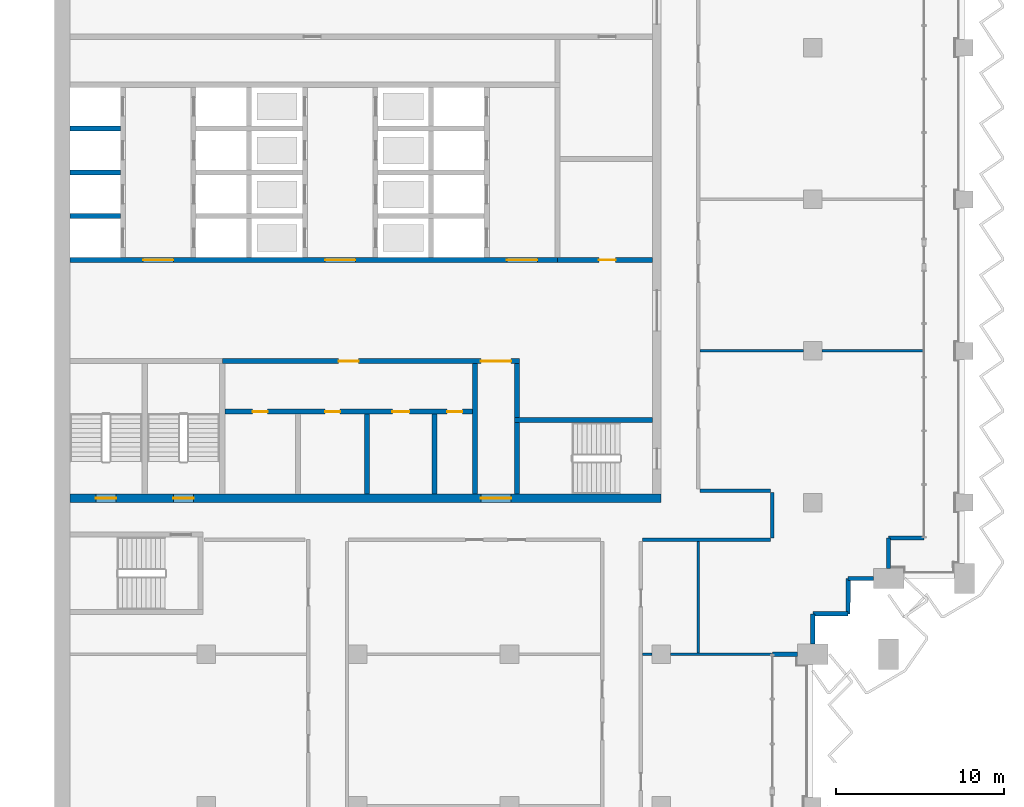
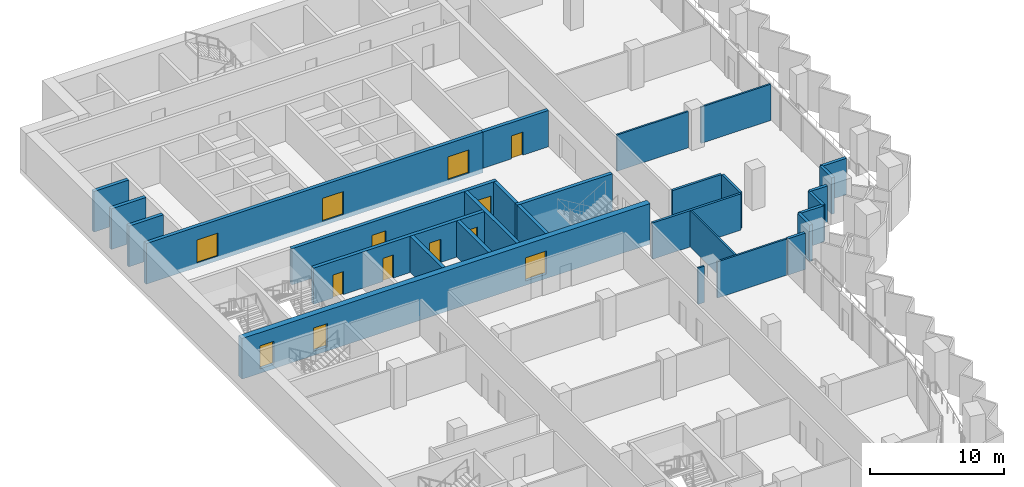
# One storey, part 8 of 18: 29 walls, 13 doors, 13 openings.
"""IFC4 building model written with IfcOpenShell, lengths in metres."""

from ifc_helpers import new_model, si_unit, direction, frame, frame_2d, origin, place, context, subcontext, project, spatial, rectangle, extrude, material, layer, layer_set, type_object, element, fill, save


model = new_model("IFC4")

# Units and contexts
model_context = context("Model", 3, precision=1e-05, world=origin(), true_north=direction((0.0, 1.0)))
body_context = subcontext(model_context, "Body", "Model", "MODEL_VIEW")
ifc_project = project(units=[si_unit("LENGTHUNIT", "METRE"), si_unit("AREAUNIT", "SQUARE_METRE"), si_unit("VOLUMEUNIT", "CUBIC_METRE"), si_unit("PLANEANGLEUNIT", "RADIAN"), si_unit("MASSUNIT", "GRAM", prefix="KILO")], contexts=[model_context])

# Site, building, storey
site_placement = place(None, origin())
site = spatial("IfcSite", under=ifc_project, at=site_placement, CompositionType="ELEMENT")
building_placement = place(site_placement, origin())
building = spatial("IfcBuilding", under=site, at=building_placement, Name="Hunhe Ridgeline Campus", CompositionType="ELEMENT")
storey_placement = place(building_placement, frame((0.0, 0.0, 182.800048828125)))
storey = spatial("IfcBuildingStorey", under=building, at=storey_placement, Name="L46", CompositionType="ELEMENT", Elevation=182.800048828125)

# Wall, openings, doors
ifc_material_1 = material(Name="Masonry concrete blockwork", Category="masonry")
ifc_layer_1 = layer(ifc_material_1, 0.300048828125)
ifc_layer_set_1 = layer_set([ifc_layer_1], Name="Core room partition 300 concrete block")
wall_type_1 = type_object("IfcWallType", Name="Core room partition 300 concrete block", PredefinedType="PARTITIONING", material=ifc_layer_set_1)
wall_1_placement = place(storey_placement, frame((10.10009765625, 68.39990234375, 0.0), z_axis=(0.0, 0.0, 1.0), x_axis=(1.0, 0.0, 0.0)))
wall_1 = element("IfcWall", 1, at=wall_1_placement, inside=storey, type_object=wall_type_1, Name="L46 core partition 9", PredefinedType="PARTITIONING", context=body_context, shape_type="SweptSolid", body=[
    extrude(rectangle(XDim=14.699951171875, YDim=0.300048828125, at=frame_2d((7.35009765625, 0.0))), origin(), (0.0, 0.0, 1.0), 3.300048828125),
])
opening_1_placement = place(wall_1_placement, frame((1.64990234375, 0.0, 0.0)))
opening_1 = element("IfcOpeningElement", 2, at=opening_1_placement, cuts=wall_1, Name="Opening CD8", PredefinedType="OPENING", context=body_context, shape_type="SweptSolid", body=[
    extrude(rectangle(XDim=0.89990234375, YDim=2.10009765625, at=frame_2d((0.449951171875, 1.050048828125))), frame((0.0, 0.14990234375, 0.0), z_axis=(0.0, -1.0, 0.0), x_axis=(1.0, 0.0, 0.0)), (0.0, 0.0, 1.0), 0.300048828125),
])
opening_2_placement = place(wall_1_placement, frame((5.949951171875, 0.0, 0.0)))
opening_2 = element("IfcOpeningElement", 3, at=opening_2_placement, cuts=wall_1, Name="Opening CD9", PredefinedType="OPENING", context=body_context, shape_type="SweptSolid", body=[
    extrude(rectangle(XDim=0.89990234375, YDim=2.10009765625, at=frame_2d((0.449951171875, 1.050048828125))), frame((0.0, 0.14990234375, 0.0), z_axis=(0.0, -1.0, 0.0), x_axis=(1.0, 0.0, 0.0)), (0.0, 0.0, 1.0), 0.300048828125),
])
opening_3_placement = place(wall_1_placement, frame((9.949951171875, 0.0, 0.0)))
opening_3 = element("IfcOpeningElement", 4, at=opening_3_placement, cuts=wall_1, Name="Opening CD10", PredefinedType="OPENING", context=body_context, shape_type="SweptSolid", body=[
    extrude(rectangle(XDim=1.0, YDim=2.10009765625, at=frame_2d((0.5, 1.050048828125))), frame((0.0, 0.14990234375, 0.0), z_axis=(0.0, -1.0, 0.0), x_axis=(1.0, 0.0, 0.0)), (0.0, 0.0, 1.0), 0.300048828125),
])
opening_4_placement = place(wall_1_placement, frame((13.199951171875, 0.0, 0.0)))
opening_4 = element("IfcOpeningElement", 5, at=opening_4_placement, cuts=wall_1, Name="Opening CD11", PredefinedType="OPENING", context=body_context, shape_type="SweptSolid", body=[
    extrude(rectangle(XDim=0.89990234375, YDim=2.10009765625, at=frame_2d((0.449951171875, 1.050048828125))), frame((0.0, 0.14990234375, 0.0), z_axis=(0.0, -1.0, 0.0), x_axis=(1.0, 0.0, 0.0)), (0.0, 0.0, 1.0), 0.300048828125),
])
ifc_material_2 = material(Name="Solid core timber door leaf", Category="wood")
door_type_1 = type_object("IfcDoorType", Name="Timber door 1000x2100", OperationType="SINGLE_SWING_LEFT", PredefinedType="DOOR", material=ifc_material_2)
door_1_placement = place(opening_3_placement, frame((1.0, 0.0, 0.0), z_axis=(0.0, 0.0, 1.0), x_axis=(-1.0, 0.0, 0.0)))
door_1 = element("IfcDoor", 6, at=door_1_placement, inside=storey, type_object=door_type_1, Name="L46 door WC3", OperationType="SINGLE_SWING_LEFT", OverallHeight=2.10009765625, OverallWidth=1.0, PredefinedType="DOOR", context=body_context, shape_type="SweptSolid", body=[
    extrude(rectangle(XDim=1.0, YDim=2.10009765625, at=frame_2d((0.5, 1.050048828125))), frame((0.0, 0.02490234375, 0.0), z_axis=(0.0, -1.0, 0.0), x_axis=(1.0, 0.0, 0.0)), (0.0, 0.0, 1.0), 0.050048828125),
])
fill(opening_3, door_1)
door_type_2 = type_object("IfcDoorType", Name="Timber door 900x2100", OperationType="SINGLE_SWING_LEFT", PredefinedType="DOOR", material=ifc_material_2)
door_2_placement = place(opening_1_placement, frame((0.89990234375, 0.0, 0.0), z_axis=(0.0, 0.0, 1.0), x_axis=(-1.0, 0.0, 0.0)))
door_2 = element("IfcDoor", 7, at=door_2_placement, inside=storey, type_object=door_type_2, Name="L46 door WC1", OperationType="SINGLE_SWING_LEFT", OverallHeight=2.10009765625, OverallWidth=0.89990234375, PredefinedType="DOOR", context=body_context, shape_type="SweptSolid", body=[
    extrude(rectangle(XDim=0.89990234375, YDim=2.10009765625, at=frame_2d((0.449951171875, 1.050048828125))), frame((0.0, 0.02490234375, 0.0), z_axis=(0.0, -1.0, 0.0), x_axis=(1.0, 0.0, 0.0)), (0.0, 0.0, 1.0), 0.050048828125),
])
fill(opening_1, door_2)
door_3_placement = place(opening_2_placement, frame((0.89990234375, 0.0, 0.0), z_axis=(0.0, 0.0, 1.0), x_axis=(-1.0, 0.0, 0.0)))
door_3 = element("IfcDoor", 8, at=door_3_placement, inside=storey, type_object=door_type_2, Name="L46 door WC2", OperationType="SINGLE_SWING_RIGHT", OverallHeight=2.10009765625, OverallWidth=0.89990234375, PredefinedType="DOOR", context=body_context, shape_type="SweptSolid", body=[
    extrude(rectangle(XDim=0.89990234375, YDim=2.10009765625, at=frame_2d((0.449951171875, 1.050048828125))), frame((0.0, 0.02490234375, 0.0), z_axis=(0.0, -1.0, 0.0), x_axis=(1.0, 0.0, 0.0)), (0.0, 0.0, 1.0), 0.050048828125),
])
fill(opening_2, door_3)
door_4_placement = place(opening_4_placement, frame((0.89990234375, 0.0, 0.0), z_axis=(0.0, 0.0, 1.0), x_axis=(-1.0, 0.0, 0.0)))
door_4 = element("IfcDoor", 9, at=door_4_placement, inside=storey, type_object=door_type_2, Name="L46 door WC4", OperationType="SINGLE_SWING_RIGHT", OverallHeight=2.10009765625, OverallWidth=0.89990234375, PredefinedType="DOOR", context=body_context, shape_type="SweptSolid", body=[
    extrude(rectangle(XDim=0.89990234375, YDim=2.10009765625, at=frame_2d((0.449951171875, 1.050048828125))), frame((0.0, 0.02490234375, 0.0), z_axis=(0.0, -1.0, 0.0), x_axis=(1.0, 0.0, 0.0)), (0.0, 0.0, 1.0), 0.050048828125),
])
fill(opening_4, door_4)

wall_2_placement = place(storey_placement, frame((9.949951171875, 71.39990234375, 0.0), z_axis=(0.0, 0.0, 1.0), x_axis=(1.0, 0.0, 0.0)))
wall_2 = element("IfcWall", 10, at=wall_2_placement, inside=storey, type_object=wall_type_1, Name="L46 core partition 11", PredefinedType="PARTITIONING", context=body_context, shape_type="SweptSolid", body=[
    extrude(rectangle(XDim=17.650146484375, YDim=0.300048828125, at=frame_2d((8.8251953125, 0.0))), origin(), (0.0, 0.0, 1.0), 3.300048828125),
])
opening_5_placement = place(wall_2_placement, frame((15.35009765625, 0.0, 0.0)))
opening_5 = element("IfcOpeningElement", 11, at=opening_5_placement, cuts=wall_2, Name="Opening CD7", PredefinedType="OPENING", context=body_context, shape_type="SweptSolid", body=[
    extrude(rectangle(XDim=1.800048828125, YDim=2.10009765625, at=frame_2d((0.89990234375, 1.050048828125))), frame((0.0, 0.14990234375, 0.0), z_axis=(0.0, -1.0, 0.0), x_axis=(1.0, 0.0, 0.0)), (0.0, 0.0, 1.0), 0.300048828125),
])
opening_6_placement = place(wall_2_placement, frame((6.89990234375, 0.0, 0.0)))
opening_6 = element("IfcOpeningElement", 12, at=opening_6_placement, cuts=wall_2, Name="Opening CD37", PredefinedType="OPENING", context=body_context, shape_type="SweptSolid", body=[
    extrude(rectangle(XDim=1.199951171875, YDim=2.10009765625, at=frame_2d((0.60009765625, 1.050048828125))), frame((0.0, 0.14990234375, 0.0), z_axis=(0.0, -1.0, 0.0), x_axis=(1.0, 0.0, 0.0)), (0.0, 0.0, 1.0), 0.300048828125),
])
ifc_material_3 = material(Name="Anodised aluminium and glass", Category="aluminium")
door_type_3 = type_object("IfcDoorType", Name="Glazed double door 1800x2100", OperationType="DOUBLE_DOOR_SINGLE_SWING", PredefinedType="DOOR", material=ifc_material_3)
door_5_placement = place(opening_5_placement, origin())
door_5 = element("IfcDoor", 13, at=door_5_placement, inside=storey, type_object=door_type_3, Name="L46 door VEST-HALL", OperationType="DOUBLE_DOOR_SINGLE_SWING", OverallHeight=2.10009765625, OverallWidth=1.800048828125, PredefinedType="DOOR", context=body_context, shape_type="SweptSolid", body=[
    extrude(rectangle(XDim=1.800048828125, YDim=2.10009765625, at=frame_2d((0.89990234375, 1.050048828125))), frame((0.0, 0.02490234375, 0.0), z_axis=(0.0, -1.0, 0.0), x_axis=(1.0, 0.0, 0.0)), (0.0, 0.0, 1.0), 0.050048828125),
])
fill(opening_5, door_5)
door_type_4 = type_object("IfcDoorType", Name="Timber door 1200x2100", OperationType="SINGLE_SWING_LEFT", PredefinedType="DOOR", material=ifc_material_2)
door_6_placement = place(opening_6_placement, origin())
door_6 = element("IfcDoor", 14, at=door_6_placement, inside=storey, type_object=door_type_4, Name="L46 door WCL1-HALL", OperationType="SINGLE_SWING_RIGHT", OverallHeight=2.10009765625, OverallWidth=1.199951171875, PredefinedType="DOOR", context=body_context, shape_type="SweptSolid", body=[
    extrude(rectangle(XDim=1.199951171875, YDim=2.10009765625, at=frame_2d((0.60009765625, 1.050048828125))), frame((0.0, 0.02490234375, 0.0), z_axis=(0.0, -1.0, 0.0), x_axis=(1.0, 0.0, 0.0)), (0.0, 0.0, 1.0), 0.050048828125),
])
fill(opening_6, door_6)

# Wall, opening, door
wall_3_placement = place(storey_placement, frame((29.85009765625, 77.39990234375, 0.0), z_axis=(0.0, 0.0, 1.0), x_axis=(1.0, 0.0, 0.0)))
wall_3 = element("IfcWall", 15, at=wall_3_placement, inside=storey, type_object=wall_type_1, Name="L46 core partition 13", PredefinedType="PARTITIONING", context=body_context, shape_type="SweptSolid", body=[
    extrude(rectangle(XDim=5.64990234375, YDim=0.300048828125, at=frame_2d((2.824951171875, 0.0))), origin(), (0.0, 0.0, 1.0), 3.300048828125),
])
opening_7_placement = place(wall_3_placement, frame((2.449951171875, 0.0, 0.0)))
opening_7 = element("IfcOpeningElement", 16, at=opening_7_placement, cuts=wall_3, Name="Opening CD32", PredefinedType="OPENING", context=body_context, shape_type="SweptSolid", body=[
    extrude(rectangle(XDim=1.0, YDim=2.10009765625, at=frame_2d((0.5, 1.050048828125))), frame((0.0, 0.14990234375, 0.0), z_axis=(0.0, -1.0, 0.0), x_axis=(1.0, 0.0, 0.0)), (0.0, 0.0, 1.0), 0.300048828125),
])
door_7_placement = place(opening_7_placement, origin())
door_7 = element("IfcDoor", 17, at=door_7_placement, inside=storey, type_object=door_type_1, Name="L46 door ES0", OperationType="SINGLE_SWING_RIGHT", OverallHeight=2.10009765625, OverallWidth=1.0, PredefinedType="DOOR", context=body_context, shape_type="SweptSolid", body=[
    extrude(rectangle(XDim=1.0, YDim=2.10009765625, at=frame_2d((0.5, 1.050048828125))), frame((0.0, 0.02490234375, 0.0), z_axis=(0.0, -1.0, 0.0), x_axis=(1.0, 0.0, 0.0)), (0.0, 0.0, 1.0), 0.050048828125),
])
fill(opening_7, door_7)

# Walls
for number, where, z_axis, x_axis, name in (
    (18, (18.550048828125, 63.5, 0.0), (0.0, 0.0, 1.0), (0.0, 1.0, 0.0), "L46 core partition 41"),
    (19, (22.550048828125, 63.5, 0.0), (0.0, 0.0, 1.0), (0.0, 1.0, 0.0), "L46 core partition 46"),
):
    element("IfcWall", number, at=place(storey_placement, frame(where, z_axis=z_axis, x_axis=x_axis)), inside=storey, type_object=wall_type_1, Name=name, PredefinedType="PARTITIONING", context=body_context, shape_type="SweptSolid", body=[
        extrude(rectangle(XDim=4.75, YDim=0.300048828125, at=frame_2d((2.375, 0.0))), origin(), (0.0, 0.0, 1.0), 3.300048828125),
    ])
wall_4_placement = place(storey_placement, frame((24.949951171875, 63.5, 0.0), z_axis=(0.0, 0.0, 1.0), x_axis=(0.0, 1.0, 0.0)))
element("IfcWall", 20, at=wall_4_placement, inside=storey, type_object=wall_type_1, Name="L46 core partition 48", PredefinedType="PARTITIONING", context=body_context, shape_type="SweptSolid", body=[
    extrude(rectangle(XDim=7.75, YDim=0.300048828125, at=frame_2d((3.875, 0.0))), origin(), (0.0, 0.0, 1.0), 3.300048828125),
])
wall_5_placement = place(storey_placement, frame((27.449951171875, 68.050048828125, 0.0), z_axis=(0.0, 0.0, 1.0), x_axis=(0.0, 1.0, 0.0)))
element("IfcWall", 21, at=wall_5_placement, inside=storey, type_object=wall_type_1, Name="L46 core partition 52", PredefinedType="PARTITIONING", context=body_context, shape_type="SweptSolid", body=[
    extrude(rectangle(XDim=3.199951171875, YDim=0.300048828125, at=frame_2d((1.60009765625, 0.0))), origin(), (0.0, 0.0, 1.0), 3.300048828125),
])

# Wall, openings, doors
ifc_material_4 = material(Name="Concrete C60", Category="concrete")
ifc_layer_2 = layer(ifc_material_4, 0.5)
ifc_layer_set_2 = layer_set([ifc_layer_2], Name="Core wall 500 reinforced concrete C60")
wall_type_2 = type_object("IfcWallType", Name="Core wall 500 reinforced concrete C60", PredefinedType="SOLIDWALL", material=ifc_layer_set_2)
wall_6_placement = place(storey_placement, frame((0.89990234375, 63.25, -0.400146484375), z_axis=(0.0, 0.0, 1.0), x_axis=(1.0, 0.0, 0.0)))
wall_6 = element("IfcWall", 22, at=wall_6_placement, inside=storey, type_object=wall_type_2, Name="L46 core wall 7", PredefinedType="SOLIDWALL", context=body_context, shape_type="SweptSolid", body=[
    extrude(rectangle(XDim=35.10009765625, YDim=0.5, at=frame_2d((17.550048828125, 0.0))), origin(), (0.0, 0.0, 1.0), 3.7001953125),
])
opening_8_placement = place(wall_6_placement, frame((24.39990234375, 0.0, 0.39990234375)))
opening_8 = element("IfcOpeningElement", 23, at=opening_8_placement, cuts=wall_6, Name="Opening CD6", PredefinedType="OPENING", context=body_context, shape_type="SweptSolid", body=[
    extrude(rectangle(XDim=1.800048828125, YDim=2.10009765625, at=frame_2d((0.89990234375, 1.050048828125))), frame((0.0, 0.25, 0.0), z_axis=(0.0, -1.0, 0.0), x_axis=(1.0, 0.0, 0.0)), (0.0, 0.0, 1.0), 0.5),
])
opening_9_placement = place(wall_6_placement, frame((1.550048828125, 0.0, 0.39990234375)))
opening_9 = element("IfcOpeningElement", 24, at=opening_9_placement, cuts=wall_6, Name="Opening CD13", PredefinedType="OPENING", context=body_context, shape_type="SweptSolid", body=[
    extrude(rectangle(XDim=1.199951171875, YDim=2.10009765625, at=frame_2d((0.60009765625, 1.050048828125))), frame((0.0, 0.25, 0.0), z_axis=(0.0, -1.0, 0.0), x_axis=(1.0, 0.0, 0.0)), (0.0, 0.0, 1.0), 0.5),
])
opening_10_placement = place(wall_6_placement, frame((6.14990234375, 0.0, 0.39990234375)))
opening_10 = element("IfcOpeningElement", 25, at=opening_10_placement, cuts=wall_6, Name="Opening CD14", PredefinedType="OPENING", context=body_context, shape_type="SweptSolid", body=[
    extrude(rectangle(XDim=1.199951171875, YDim=2.10009765625, at=frame_2d((0.60009765625, 1.050048828125))), frame((0.0, 0.25, 0.0), z_axis=(0.0, -1.0, 0.0), x_axis=(1.0, 0.0, 0.0)), (0.0, 0.0, 1.0), 0.5),
])
door_8_placement = place(opening_8_placement, frame((1.800048828125, 0.0, 0.0), z_axis=(0.0, 0.0, 1.0), x_axis=(-1.0, 0.0, 0.0)))
door_8 = element("IfcDoor", 26, at=door_8_placement, inside=storey, type_object=door_type_3, Name="L46 door VEST-FLOOR", OperationType="DOUBLE_DOOR_SINGLE_SWING", OverallHeight=2.10009765625, OverallWidth=1.800048828125, PredefinedType="DOOR", context=body_context, shape_type="SweptSolid", body=[
    extrude(rectangle(XDim=1.800048828125, YDim=2.10009765625, at=frame_2d((0.89990234375, 1.050048828125))), frame((0.0, 0.02490234375, 0.0), z_axis=(0.0, -1.0, 0.0), x_axis=(1.0, 0.0, 0.0)), (0.0, 0.0, 1.0), 0.050048828125),
])
fill(opening_8, door_8)
ifc_material_5 = material(Name="Hollow metal fire door leaf")
door_type_5 = type_object("IfcDoorType", Name="Stair door 1200x2100 FD60", OperationType="SINGLE_SWING_LEFT", PredefinedType="DOOR", material=ifc_material_5)
door_9_placement = place(opening_9_placement, frame((1.199951171875, 0.0, 0.0), z_axis=(0.0, 0.0, 1.0), x_axis=(-1.0, 0.0, 0.0)))
door_9 = element("IfcDoor", 27, at=door_9_placement, inside=storey, type_object=door_type_5, Name="L46 door S3", OperationType="SINGLE_SWING_LEFT", OverallHeight=2.10009765625, OverallWidth=1.199951171875, PredefinedType="DOOR", context=body_context, shape_type="SweptSolid", body=[
    extrude(rectangle(XDim=1.199951171875, YDim=2.10009765625, at=frame_2d((0.60009765625, 1.050048828125))), frame((0.0, 0.02490234375, 0.0), z_axis=(0.0, -1.0, 0.0), x_axis=(1.0, 0.0, 0.0)), (0.0, 0.0, 1.0), 0.050048828125),
])
fill(opening_9, door_9)
door_10_placement = place(opening_10_placement, frame((1.199951171875, 0.0, 0.0), z_axis=(0.0, 0.0, 1.0), x_axis=(-1.0, 0.0, 0.0)))
door_10 = element("IfcDoor", 28, at=door_10_placement, inside=storey, type_object=door_type_5, Name="L46 door S4", OperationType="SINGLE_SWING_RIGHT", OverallHeight=2.10009765625, OverallWidth=1.199951171875, PredefinedType="DOOR", context=body_context, shape_type="SweptSolid", body=[
    extrude(rectangle(XDim=1.199951171875, YDim=2.10009765625, at=frame_2d((0.60009765625, 1.050048828125))), frame((0.0, 0.02490234375, 0.0), z_axis=(0.0, -1.0, 0.0), x_axis=(1.0, 0.0, 0.0)), (0.0, 0.0, 1.0), 0.050048828125),
])
fill(opening_10, door_10)

# Walls
ifc_material_6 = material(Name="Concrete C30", Category="concrete")
ifc_layer_3 = layer(ifc_material_6, 0.25)
ifc_layer_set_3 = layer_set([ifc_layer_3], Name="Corner return wall 250 Concrete C30")
wall_type_3 = type_object("IfcWallType", Name="Corner return wall 250 Concrete C30", PredefinedType="SOLIDWALL", material=ifc_layer_set_3)
wall_7_placement = place(storey_placement, frame((42.59912109375, 54.00048828125, 0.0), z_axis=(0.0, 0.0, 1.0), x_axis=(0.999999986772, 0.00016265452, 0.0)))
element("IfcWall", 29, at=wall_7_placement, inside=storey, type_object=wall_type_3, Name="Corner return wall 2", PredefinedType="SOLIDWALL", context=body_context, shape_type="SweptSolid", body=[
    extrude(rectangle(XDim=1.5009765625, YDim=0.25, at=frame_2d((0.75048828125, 0.0))), origin(), (0.0, 0.0, 1.0), 3.300048828125),
])
wall_8_placement = place(storey_placement, frame((44.9990234375, 54.60009765625, 0.0), z_axis=(0.0, 0.0, 1.0), x_axis=(0.000135593219, 0.999999990807, 0.0)))
element("IfcWall", 30, at=wall_8_placement, inside=storey, type_object=wall_type_3, Name="Corner return wall 3", PredefinedType="SOLIDWALL", context=body_context, shape_type="SweptSolid", body=[
    extrude(rectangle(XDim=1.800537109375, YDim=0.25, at=frame_2d((0.900390625, 0.0))), origin(), (0.0, 0.0, 1.0), 3.300048828125),
])
wall_9_placement = place(storey_placement, frame((44.999267578125, 56.400634765625, 0.0), z_axis=(0.0, 0.0, 1.0), x_axis=(0.999999993241, 0.00011626555, 0.0)))
element("IfcWall", 31, at=wall_9_placement, inside=storey, type_object=wall_type_3, Name="Corner return wall 4", PredefinedType="SOLIDWALL", context=body_context, shape_type="SweptSolid", body=[
    extrude(rectangle(XDim=2.099853515625, YDim=0.25, at=frame_2d((1.0498046875, 0.0))), origin(), (0.0, 0.0, 1.0), 3.300048828125),
])
wall_10_placement = place(storey_placement, frame((47.09912109375, 56.40087890625, 0.0), z_axis=(0.0, 0.0, 1.0), x_axis=(0.000232504063, 0.999999972971, 0.0)))
element("IfcWall", 32, at=wall_10_placement, inside=storey, type_object=wall_type_3, Name="Corner return wall 5", PredefinedType="SOLIDWALL", context=body_context, shape_type="SweptSolid", body=[
    extrude(rectangle(XDim=2.10009765625, YDim=0.25, at=frame_2d((1.050048828125, 0.0))), origin(), (0.0, 0.0, 1.0), 3.300048828125),
])
wall_11_placement = place(storey_placement, frame((47.099609375, 58.5009765625, 0.0), z_axis=(0.0, 0.0, 1.0), x_axis=(1.0, 0.0, 0.0)))
element("IfcWall", 33, at=wall_11_placement, inside=storey, type_object=wall_type_3, Name="Corner return wall 6", PredefinedType="SOLIDWALL", context=body_context, shape_type="SweptSolid", body=[
    extrude(rectangle(XDim=1.50048828125, YDim=0.25, at=frame_2d((0.750244140625, 0.0))), origin(), (0.0, 0.0, 1.0), 3.300048828125),
])
wall_12_placement = place(storey_placement, frame((49.4990234375, 59.10009765625, 0.0), z_axis=(0.0, 0.0, 1.0), x_axis=(0.000271149665, 0.999999963239, 0.0)))
element("IfcWall", 34, at=wall_12_placement, inside=storey, type_object=wall_type_3, Name="Corner return wall 7", PredefinedType="SOLIDWALL", context=body_context, shape_type="SweptSolid", body=[
    extrude(rectangle(XDim=1.80078125, YDim=0.25, at=frame_2d((0.900390625, 0.0))), origin(), (0.0, 0.0, 1.0), 3.300048828125),
])
wall_13_placement = place(storey_placement, frame((49.49951171875, 60.90087890625, 0.0), z_axis=(0.0, 0.0, 1.0), x_axis=(1.0, 0.0, 0.0)))
element("IfcWall", 35, at=wall_13_placement, inside=storey, type_object=wall_type_3, Name="Corner return wall 8", PredefinedType="SOLIDWALL", context=body_context, shape_type="SweptSolid", body=[
    extrude(rectangle(XDim=2.099609375, YDim=0.25, at=frame_2d((1.0498046875, 0.0))), origin(), (0.0, 0.0, 1.0), 3.300048828125),
])
ifc_material_7 = material(Name="Gypsum board partition")
ifc_layer_4 = layer(ifc_material_7, 0.199951171875)
ifc_layer_set_4 = layer_set([ifc_layer_4], Name="Corridor partition 200 gypsum board on steel studs")
wall_type_4 = type_object("IfcWallType", Name="Corridor partition 200 gypsum board on steel studs", PredefinedType="PARTITIONING", material=ifc_layer_set_4)
wall_14_placement = place(storey_placement, frame((42.5, 60.800048828125, 0.0), z_axis=(0.0, 0.0, 1.0), x_axis=(-1.0, 0.0, 0.0)))
element("IfcWall", 36, at=wall_14_placement, inside=storey, type_object=wall_type_4, Name="F-L46-wall-029", PredefinedType="PARTITIONING", context=body_context, shape_type="SweptSolid", body=[
    extrude(rectangle(XDim=7.60009765625, YDim=0.199951171875, at=frame_2d((3.800048828125, 0.0))), origin(), (0.0, 0.0, 1.0), 3.300048828125),
])
wall_15_placement = place(storey_placement, frame((38.300048828125, 63.699951171875, 0.0), z_axis=(0.0, 0.0, 1.0), x_axis=(1.0, 0.0, 0.0)))
element("IfcWall", 37, at=wall_15_placement, inside=storey, type_object=wall_type_4, Name="F-L46-wall-030", PredefinedType="PARTITIONING", context=body_context, shape_type="SweptSolid", body=[
    extrude(rectangle(XDim=4.199951171875, YDim=0.199951171875, at=frame_2d((2.10009765625, 0.0))), origin(), (0.0, 0.0, 1.0), 3.300048828125),
])
wall_16_placement = place(storey_placement, frame((42.60009765625, 63.60009765625, 0.0), z_axis=(0.0, 0.0, 1.0), x_axis=(0.0, -1.0, 0.0)))
element("IfcWall", 38, at=wall_16_placement, inside=storey, type_object=wall_type_4, Name="F-L46-wall-048", PredefinedType="PARTITIONING", context=body_context, shape_type="SweptSolid", body=[
    extrude(rectangle(XDim=2.7001953125, YDim=0.199951171875, at=frame_2d((1.35009765625, 0.0))), origin(), (0.0, 0.0, 1.0), 3.300048828125),
])
ifc_layer_5 = layer(ifc_material_7, 0.14990234375)
ifc_layer_set_5 = layer_set([ifc_layer_5], Name="Room partition 150 gypsum board on steel studs")
wall_type_5 = type_object("IfcWallType", Name="Room partition 150 gypsum board on steel studs", PredefinedType="PARTITIONING", material=ifc_layer_set_5)
wall_17_placement = place(storey_placement, frame((34.89990234375, 54.0, 0.0), z_axis=(0.0, 0.0, 1.0), x_axis=(1.0, 0.0, 0.0)))
element("IfcWall", 39, at=wall_17_placement, inside=storey, type_object=wall_type_5, Name="F-L46-wall-025", PredefinedType="PARTITIONING", context=body_context, shape_type="SweptSolid", body=[
    extrude(rectangle(XDim=0.550048828125, YDim=0.14990234375, at=frame_2d((0.27490234375, 0.0))), origin(), (0.0, 0.0, 1.0), 3.300048828125),
])
wall_18_placement = place(storey_placement, frame((36.550048828125, 54.0, 0.0), z_axis=(0.0, 0.0, 1.0), x_axis=(1.0, 0.0, 0.0)))
element("IfcWall", 40, at=wall_18_placement, inside=storey, type_object=wall_type_5, Name="F-L46-wall-026", PredefinedType="PARTITIONING", context=body_context, shape_type="SweptSolid", body=[
    extrude(rectangle(XDim=5.9951171875, YDim=0.14990234375, at=frame_2d((2.99755859375, 0.0))), origin(), (0.0, 0.0, 1.0), 3.300048828125),
])
wall_19_placement = place(storey_placement, frame((38.300048828125, 72.0, 0.0), z_axis=(0.0, 0.0, 1.0), x_axis=(1.0, 0.0, 0.0)))
element("IfcWall", 41, at=wall_19_placement, inside=storey, type_object=wall_type_5, Name="F-L46-wall-031", PredefinedType="PARTITIONING", context=body_context, shape_type="SweptSolid", body=[
    extrude(rectangle(XDim=6.14990234375, YDim=0.14990234375, at=frame_2d((3.074951171875, 0.0))), origin(), (0.0, 0.0, 1.0), 3.300048828125),
])
wall_20_placement = place(storey_placement, frame((45.550048828125, 72.0, 0.0), z_axis=(0.0, 0.0, 1.0), x_axis=(1.0, 0.0, 0.0)))
element("IfcWall", 42, at=wall_20_placement, inside=storey, type_object=wall_type_5, Name="F-L46-wall-032", PredefinedType="PARTITIONING", context=body_context, shape_type="SweptSolid", body=[
    extrude(rectangle(XDim=5.994873046875, YDim=0.14990234375, at=frame_2d((2.99755859375, 0.0))), origin(), (0.0, 0.0, 1.0), 3.300048828125),
])
wall_21_placement = place(storey_placement, frame((38.199951171875, 60.699951171875, 0.0), z_axis=(0.0, 0.0, 1.0), x_axis=(0.0, -1.0, 0.0)))
element("IfcWall", 43, at=wall_21_placement, inside=storey, type_object=wall_type_5, Name="F-L46-wall-046", PredefinedType="PARTITIONING", context=body_context, shape_type="SweptSolid", body=[
    extrude(rectangle(XDim=6.625, YDim=0.14990234375, at=frame_2d((3.3125, 0.0))), origin(), (0.0, 0.0, 1.0), 3.300048828125),
])

# Wall, openings, doors
ifc_layer_6 = layer(ifc_material_4, 0.300048828125)
ifc_layer_set_6 = layer_set([ifc_layer_6], Name="Shaft wall 300 reinforced concrete C60")
wall_type_6 = type_object("IfcWallType", Name="Shaft wall 300 reinforced concrete C60", PredefinedType="SOLIDWALL", material=ifc_layer_set_6)
wall_22_placement = place(storey_placement, frame((0.89990234375, 77.39990234375, -0.400146484375), z_axis=(0.0, 0.0, 1.0), x_axis=(1.0, 0.0, 0.0)))
wall_22 = element("IfcWall", 44, at=wall_22_placement, inside=storey, type_object=wall_type_6, Name="L46 core wall 12", PredefinedType="SOLIDWALL", context=body_context, shape_type="SweptSolid", body=[
    extrude(rectangle(XDim=28.9501953125, YDim=0.300048828125, at=frame_2d((14.47509765625, 0.0))), origin(), (0.0, 0.0, 1.0), 3.7001953125),
])
opening_11_placement = place(wall_22_placement, frame((4.35009765625, 0.0, 0.39990234375)))
opening_11 = element("IfcOpeningElement", 45, at=opening_11_placement, cuts=wall_22, Name="Opening CD1", PredefinedType="OPENING", context=body_context, shape_type="SweptSolid", body=[
    extrude(rectangle(XDim=1.800048828125, YDim=2.10009765625, at=frame_2d((0.89990234375, 1.050048828125))), frame((0.0, 0.14990234375, 0.0), z_axis=(0.0, -1.0, 0.0), x_axis=(1.0, 0.0, 0.0)), (0.0, 0.0, 1.0), 0.300048828125),
])
opening_12_placement = place(wall_22_placement, frame((15.14990234375, 0.0, 0.39990234375)))
opening_12 = element("IfcOpeningElement", 46, at=opening_12_placement, cuts=wall_22, Name="Opening CD38", PredefinedType="OPENING", context=body_context, shape_type="SweptSolid", body=[
    extrude(rectangle(XDim=1.800048828125, YDim=2.10009765625, at=frame_2d((0.89990234375, 1.050048828125))), frame((0.0, 0.14990234375, 0.0), z_axis=(0.0, -1.0, 0.0), x_axis=(1.0, 0.0, 0.0)), (0.0, 0.0, 1.0), 0.300048828125),
])
opening_13_placement = place(wall_22_placement, frame((25.949951171875, 0.0, 0.39990234375)))
opening_13 = element("IfcOpeningElement", 47, at=opening_13_placement, cuts=wall_22, Name="Opening CD2", PredefinedType="OPENING", context=body_context, shape_type="SweptSolid", body=[
    extrude(rectangle(XDim=1.800048828125, YDim=2.10009765625, at=frame_2d((0.89990234375, 1.050048828125))), frame((0.0, 0.14990234375, 0.0), z_axis=(0.0, -1.0, 0.0), x_axis=(1.0, 0.0, 0.0)), (0.0, 0.0, 1.0), 0.300048828125),
])
door_type_6 = type_object("IfcDoorType", Name="Lobby door 1800x2100 FD60", OperationType="SINGLE_SWING_LEFT", PredefinedType="DOOR", material=ifc_material_5)
door_11_placement = place(opening_11_placement, frame((1.800048828125, 0.0, 0.0), z_axis=(0.0, 0.0, 1.0), x_axis=(-1.0, 0.0, 0.0)))
door_11 = element("IfcDoor", 48, at=door_11_placement, inside=storey, type_object=door_type_6, Name="L46 door LOB-LR", OperationType="SINGLE_SWING_RIGHT", OverallHeight=2.10009765625, OverallWidth=1.800048828125, PredefinedType="DOOR", context=body_context, shape_type="SweptSolid", body=[
    extrude(rectangle(XDim=1.800048828125, YDim=2.10009765625, at=frame_2d((0.89990234375, 1.050048828125))), frame((0.0, 0.02490234375, 0.0), z_axis=(0.0, -1.0, 0.0), x_axis=(1.0, 0.0, 0.0)), (0.0, 0.0, 1.0), 0.050048828125),
])
fill(opening_11, door_11)
door_12_placement = place(opening_12_placement, frame((1.800048828125, 0.0, 0.0), z_axis=(0.0, 0.0, 1.0), x_axis=(-1.0, 0.0, 0.0)))
door_12 = element("IfcDoor", 49, at=door_12_placement, inside=storey, type_object=door_type_6, Name="L46 door LOB-HR", OperationType="SINGLE_SWING_LEFT", OverallHeight=2.10009765625, OverallWidth=1.800048828125, PredefinedType="DOOR", context=body_context, shape_type="SweptSolid", body=[
    extrude(rectangle(XDim=1.800048828125, YDim=2.10009765625, at=frame_2d((0.89990234375, 1.050048828125))), frame((0.0, 0.02490234375, 0.0), z_axis=(0.0, -1.0, 0.0), x_axis=(1.0, 0.0, 0.0)), (0.0, 0.0, 1.0), 0.050048828125),
])
fill(opening_12, door_12)
door_13_placement = place(opening_13_placement, frame((1.800048828125, 0.0, 0.0), z_axis=(0.0, 0.0, 1.0), x_axis=(-1.0, 0.0, 0.0)))
door_13 = element("IfcDoor", 50, at=door_13_placement, inside=storey, type_object=door_type_6, Name="L46 door LOB-SH", OperationType="SINGLE_SWING_RIGHT", OverallHeight=2.10009765625, OverallWidth=1.800048828125, PredefinedType="DOOR", context=body_context, shape_type="SweptSolid", body=[
    extrude(rectangle(XDim=1.800048828125, YDim=2.10009765625, at=frame_2d((0.89990234375, 1.050048828125))), frame((0.0, 0.02490234375, 0.0), z_axis=(0.0, -1.0, 0.0), x_axis=(1.0, 0.0, 0.0)), (0.0, 0.0, 1.0), 0.050048828125),
])
fill(opening_13, door_13)

# Walls
for number, where, z_axis, x_axis, name in (
    (51, (0.89990234375, 80.0, -0.400146484375), (0.0, 0.0, 1.0), (1.0, 0.0, 0.0), "L46 core wall 14"),
    (52, (0.89990234375, 82.60009765625, -0.400146484375), (0.0, 0.0, 1.0), (1.0, 0.0, 0.0), "L46 core wall 17"),
    (53, (0.89990234375, 85.199951171875, -0.400146484375), (0.0, 0.0, 1.0), (1.0, 0.0, 0.0), "L46 core wall 21"),
):
    element("IfcWall", number, at=place(storey_placement, frame(where, z_axis=z_axis, x_axis=x_axis)), inside=storey, type_object=wall_type_6, Name=name, PredefinedType="SOLIDWALL", context=body_context, shape_type="SweptSolid", body=[
        extrude(rectangle(XDim=3.0, YDim=0.300048828125, at=frame_2d((1.5, 0.0))), origin(), (0.0, 0.0, 1.0), 3.7001953125),
    ])
ifc_layer_7 = layer(ifc_material_4, 0.300048828125)
ifc_layer_set_7 = layer_set([ifc_layer_7], Name="Stair wall 300 reinforced concrete C60")
wall_type_7 = type_object("IfcWallType", Name="Stair wall 300 reinforced concrete C60", PredefinedType="SOLIDWALL", material=ifc_layer_set_7)
wall_23_placement = place(storey_placement, frame((27.300048828125, 67.89990234375, -0.400146484375), z_axis=(0.0, 0.0, 1.0), x_axis=(1.0, 0.0, 0.0)))
element("IfcWall", 54, at=wall_23_placement, inside=storey, type_object=wall_type_7, Name="L46 core wall 8", PredefinedType="SOLIDWALL", context=body_context, shape_type="SweptSolid", body=[
    extrude(rectangle(XDim=8.199951171875, YDim=0.300048828125, at=frame_2d((4.10009765625, 0.0))), origin(), (0.0, 0.0, 1.0), 3.7001953125),
])
wall_24_placement = place(storey_placement, frame((27.449951171875, 63.5, -0.400146484375), z_axis=(0.0, 0.0, 1.0), x_axis=(0.0, 1.0, 0.0)))
element("IfcWall", 55, at=wall_24_placement, inside=storey, type_object=wall_type_7, Name="L46 core wall 51", PredefinedType="SOLIDWALL", context=body_context, shape_type="SweptSolid", body=[
    extrude(rectangle(XDim=4.25, YDim=0.300048828125, at=frame_2d((2.125, 0.0))), origin(), (0.0, 0.0, 1.0), 3.7001953125),
])

save(model, "model.ifc")
